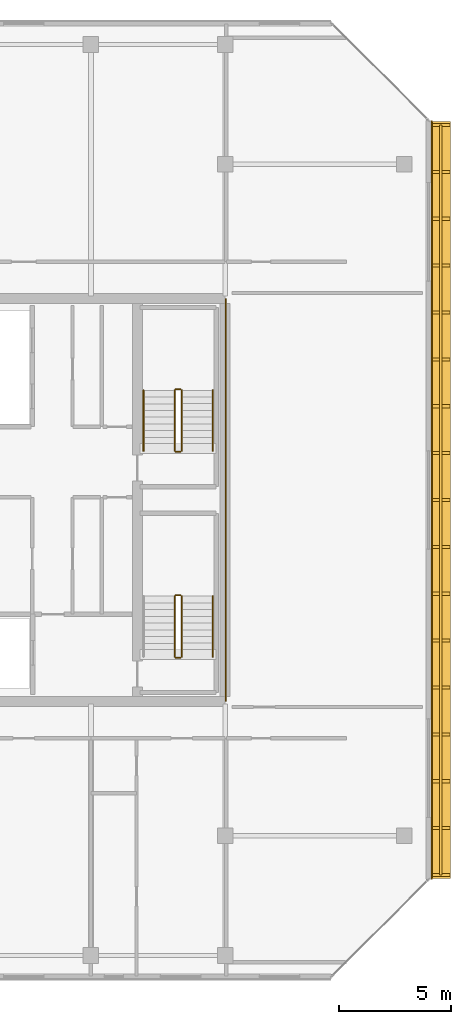
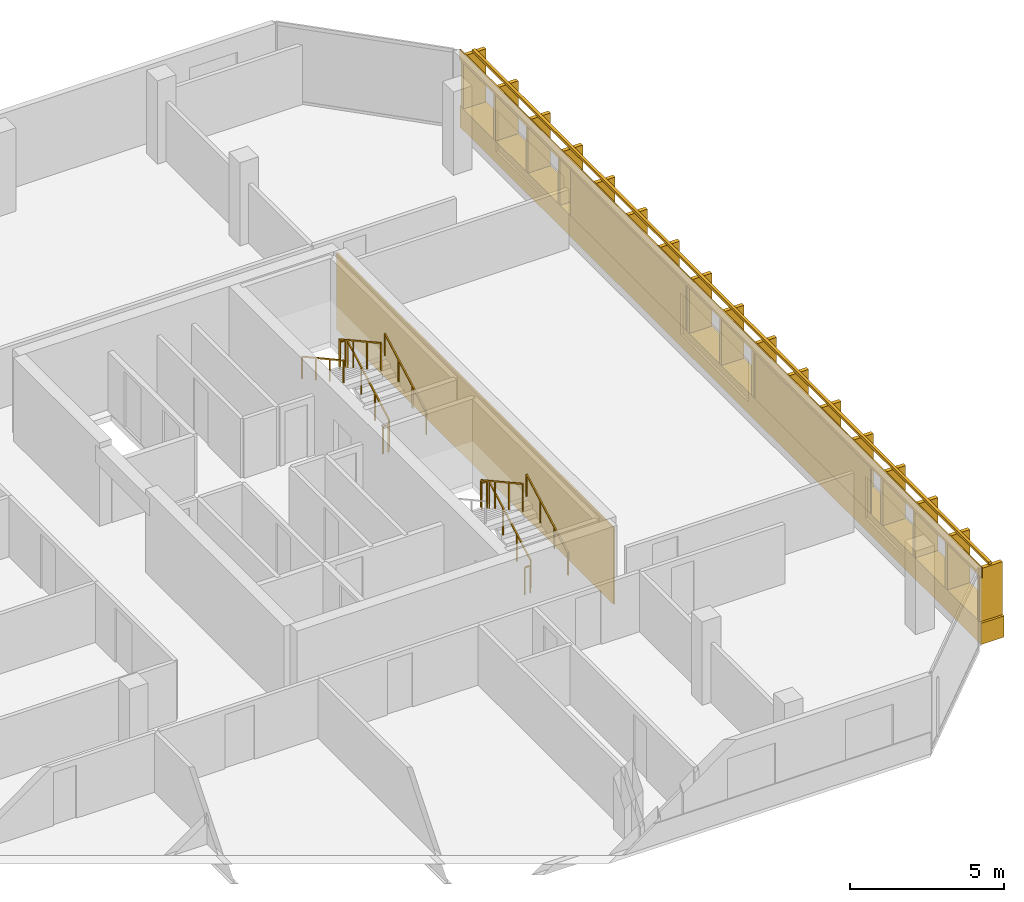
# One storey, part 29 of 29: 12 railings, 5 coverings.
"""IFC4 building model written with IfcOpenShell, lengths in metres."""

from ifc_helpers import new_model, si_unit, direction, frame, origin, origin_2d, place, context, subcontext, project, spatial, rectangle, extrude, material, layer, layer_set, type_object, element, save


model = new_model("IFC4")

# Units and contexts
model_context = context("Model", 3, precision=1e-05, world=origin(), true_north=direction((0.0, 1.0)))
body_context = subcontext(model_context, "Body", "Model", "MODEL_VIEW")
ifc_project = project(units=[si_unit("LENGTHUNIT", "METRE"), si_unit("AREAUNIT", "SQUARE_METRE"), si_unit("VOLUMEUNIT", "CUBIC_METRE"), si_unit("PLANEANGLEUNIT", "RADIAN"), si_unit("MASSUNIT", "GRAM", prefix="KILO")], contexts=[model_context])

# Site, building, storey
site_placement = place(None, origin())
site = spatial("IfcSite", under=ifc_project, at=site_placement, CompositionType="ELEMENT")
building_placement = place(site_placement, origin())
building = spatial("IfcBuilding", under=site, at=building_placement, Name="Tanjung Sevakor Pilgrim Tower", CompositionType="ELEMENT")
storey_placement = place(building_placement, frame((0.0, 0.0, 232.64990234375)))
storey = spatial("IfcBuildingStorey", under=building, at=storey_placement, Name="L65", CompositionType="ELEMENT", Elevation=232.64990234375)

# Coverings
ifc_material_1 = material(Name="Reconstructed Limestone Cladding", Category="masonry")
ifc_layer = layer(ifc_material_1, 0.044921875)
ifc_layer_set = layer_set([ifc_layer], Name="COV-CLAD-LIMESTONE")
covering_type = type_object("IfcCoveringType", Name="COV-CLAD-LIMESTONE", PredefinedType="CLADDING", material=ifc_layer_set)
covering_1_placement = place(storey_placement, frame((99.6298828125, 33.60009765625, 0.01025390625), z_axis=(0.0, 0.0, 1.0), x_axis=(0.0, 1.0, 0.0)))
element("IfcCovering", 1, at=covering_1_placement, inside=storey, type_object=covering_type, Name="L65 Warm Limestone Sill Spandrel EW-L65-EAST-3-1", PredefinedType="CLADDING", context=body_context, shape_type="SweptSolid", body=[
    extrude(rectangle(XDim=33.828857421875, YDim=0.860107421875, at=origin_2d()), origin(), (0.0, 0.0, 1.0), 0.840087890625),
])
covering_2_placement = place(storey_placement, frame((99.222412109375, 33.60009765625, 2.66015625), z_axis=(0.0, 0.0, 1.0), x_axis=(0.0, 1.0, 0.0)))
element("IfcCovering", 2, at=covering_2_placement, inside=storey, type_object=covering_type, Name="L65 Warm Limestone Cornice Spandrel EW-L65-EAST-3", PredefinedType="CLADDING", context=body_context, shape_type="SweptSolid", body=[
    extrude(rectangle(XDim=33.868896484375, YDim=0.044921875, at=origin_2d()), origin(), (0.0, 0.0, 1.0), 0.409912109375),
])
for number, where, z_axis, x_axis, name in (
    (3, (99.222412109375, 27.60888671875, 0.85009765625), (0.0, 0.0, 1.0), (0.0, 1.0, 0.0), "L65 Warm Limestone Pier Panel EW-L65-EAST-3-1"),
    (4, (99.222412109375, 39.591064453125, 0.85009765625), (0.0, 0.0, 1.0), (0.0, 1.0, 0.0), "L65 Warm Limestone Pier Panel EW-L65-EAST-3-2"),
):
    element("IfcCovering", number, at=place(storey_placement, frame(where, z_axis=z_axis, x_axis=x_axis)), inside=storey, type_object=covering_type, Name=name, PredefinedType="CLADDING", context=body_context, shape_type="SweptSolid", body=[
        extrude(rectangle(XDim=7.482177734375, YDim=0.044921875, at=origin_2d()), origin(), (0.0, 0.0, 1.0), 1.81005859375),
    ])
covering_3_placement = place(storey_placement, frame((90.0224609375, 33.60009765625, 0.02001953125), z_axis=(0.0, 0.0, 1.0), x_axis=(1.0, 0.0, 0.0)))
element("IfcCovering", 5, at=covering_3_placement, inside=storey, type_object=covering_type, Name="L65 Expressed Core Warm Limestone Cladding E", PredefinedType="CLADDING", context=body_context, shape_type="SweptSolid", body=[
    extrude(rectangle(XDim=0.044921875, YDim=18.0, at=origin_2d()), origin(), (0.0, 0.0, 1.0), 3.0400390625),
])

# Railings
ifc_material_2 = material(Name="Anodised Bronze Aluminium 6063-T6", Category="aluminium")
railing_type_1 = type_object("IfcRailingType", Name="RL-FIN-SCREEN", PredefinedType="BALUSTRADE", material=ifc_material_2)
railing_1_placement = place(storey_placement, frame((99.625, 16.845703125, 0.840087890625)))
element("IfcRailing", 6, at=railing_1_placement, inside=storey, type_object=railing_type_1, Name="L65 Vertical Bronze-Gold Solar Fin Screen FNEND-EW-L65-EAST-3-1", PredefinedType="BALUSTRADE", context=body_context, shape_type="SweptSolid", body=[
    extrude(rectangle(XDim=0.105, YDim=0.105), frame((0.0, 0.0, 2.157470703125), z_axis=(0.0, 1.0, 0.0), x_axis=(-1.0, 0.0, 0.0)), (0.0, 0.0, 1.0), 33.5087890625),
    extrude(rectangle(XDim=0.85, YDim=0.14), origin(), (0.0, 0.0, 1.0), 2.10498046875),
    extrude(rectangle(XDim=0.85, YDim=0.14), frame((0.0, 2.09423828125, 0.0)), (0.0, 0.0, 1.0), 2.10498046875),
    extrude(rectangle(XDim=0.85, YDim=0.14), frame((0.0, 4.1884765625, 0.0)), (0.0, 0.0, 1.0), 2.10498046875),
    extrude(rectangle(XDim=0.85, YDim=0.14), frame((0.0, 6.282958984375, 0.0)), (0.0, 0.0, 1.0), 2.10498046875),
    extrude(rectangle(XDim=0.85, YDim=0.14), frame((0.0, 8.377197265625, 0.0)), (0.0, 0.0, 1.0), 2.10498046875),
    extrude(rectangle(XDim=0.85, YDim=0.14), frame((0.0, 10.471435546875, 0.0)), (0.0, 0.0, 1.0), 2.10498046875),
    extrude(rectangle(XDim=0.85, YDim=0.14), frame((0.0, 12.56591796875, 0.0)), (0.0, 0.0, 1.0), 2.10498046875),
    extrude(rectangle(XDim=0.85, YDim=0.14), frame((0.0, 14.66015625, 0.0)), (0.0, 0.0, 1.0), 2.10498046875),
    extrude(rectangle(XDim=0.85, YDim=0.14), frame((0.0, 16.75439453125, 0.0)), (0.0, 0.0, 1.0), 2.10498046875),
    extrude(rectangle(XDim=0.85, YDim=0.14), frame((0.0, 18.8486328125, 0.0)), (0.0, 0.0, 1.0), 2.10498046875),
    extrude(rectangle(XDim=0.85, YDim=0.14), frame((0.0, 20.94287109375, 0.0)), (0.0, 0.0, 1.0), 2.10498046875),
    extrude(rectangle(XDim=0.85, YDim=0.14), frame((0.0, 23.037353515625, 0.0)), (0.0, 0.0, 1.0), 2.10498046875),
    extrude(rectangle(XDim=0.85, YDim=0.14), frame((0.0, 25.131591796875, 0.0)), (0.0, 0.0, 1.0), 2.10498046875),
    extrude(rectangle(XDim=0.85, YDim=0.14), frame((0.0, 27.225830078125, 0.0)), (0.0, 0.0, 1.0), 2.10498046875),
    extrude(rectangle(XDim=0.85, YDim=0.14), frame((0.0, 29.3203125, 0.0)), (0.0, 0.0, 1.0), 2.10498046875),
    extrude(rectangle(XDim=0.85, YDim=0.14), frame((0.0, 31.41455078125, 0.0)), (0.0, 0.0, 1.0), 2.10498046875),
    extrude(rectangle(XDim=0.85, YDim=0.14), frame((0.0, 33.5087890625, 0.0)), (0.0, 0.0, 1.0), 2.10498046875),
])
ifc_material_3 = material(Name="Steel S355J2", Category="steel")
railing_type_2 = type_object("IfcRailingType", Name="RL-STAIR-GUARD", PredefinedType="GUARDRAIL", material=ifc_material_3)
railing_2_placement = place(storey_placement, frame((88.050048828125, 26.60009765625, 0.1650390625)))
element("IfcRailing", 7, at=railing_2_placement, inside=storey, type_object=railing_type_2, Name="L65 TS-E1 stair guard 1", PredefinedType="GUARDRAIL", context=body_context, shape_type="SweptSolid", body=[
    extrude(rectangle(XDim=0.0479, YDim=0.0479), frame((0.0, 0.0, 1.076171875), z_axis=(0.0, 0.876197507361, 0.481952205197), x_axis=(-1.0, 0.0, 0.0)), (0.0, 0.0, 1.0), 3.08154296875),
    extrude(rectangle(XDim=0.042, YDim=0.042), origin(), (0.0, 0.0, 1.0), 1.052001953125),
    extrude(rectangle(XDim=0.042, YDim=0.042), frame((0.0, 0.89990234375, 0.4951171875)), (0.0, 0.0, 1.0), 1.052001953125),
    extrude(rectangle(XDim=0.042, YDim=0.042), frame((0.0, 1.800048828125, 0.989990234375)), (0.0, 0.0, 1.0), 1.052001953125),
    extrude(rectangle(XDim=0.042, YDim=0.042), frame((0.0, 2.699951171875, 1.485107421875)), (0.0, 0.0, 1.0), 1.052001953125),
])
railing_3_placement = place(storey_placement, frame((88.0, 29.35009765625, 1.650146484375)))
element("IfcRailing", 8, at=railing_3_placement, inside=storey, type_object=railing_type_2, Name="L65 TS-E1 stair guard 2", PredefinedType="GUARDRAIL", context=body_context, shape_type="SweptSolid", body=[
    extrude(rectangle(XDim=0.0479, YDim=0.0479), frame((0.0, 0.0, 1.076171875), z_axis=(-1.0, 0.0, 0.0), x_axis=(0.0, -1.0, 0.0)), (0.0, 0.0, 1.0), 0.199951171875),
    extrude(rectangle(XDim=0.042, YDim=0.042), origin(), (0.0, 0.0, 1.0), 1.052001953125),
    extrude(rectangle(XDim=0.042, YDim=0.042), frame((-0.199951171875, 0.0, 0.0)), (0.0, 0.0, 1.0), 1.052001953125),
])
railing_4_placement = place(storey_placement, frame((87.75, 29.300048828125, 1.815185546875)))
element("IfcRailing", 9, at=railing_4_placement, inside=storey, type_object=railing_type_2, Name="L65 TS-E1 stair guard 3", PredefinedType="GUARDRAIL", context=body_context, shape_type="SweptSolid", body=[
    extrude(rectangle(XDim=0.0479, YDim=0.0479), frame((0.0, 0.0, 1.076171875), z_axis=(0.0, -0.876230963923, 0.481891375584), x_axis=(1.0, 0.0, 0.0)), (0.0, 0.0, 1.0), 3.081298828125),
    extrude(rectangle(XDim=0.042, YDim=0.042), origin(), (0.0, 0.0, 1.0), 1.052001953125),
    extrude(rectangle(XDim=0.042, YDim=0.042), frame((0.0, -0.89990234375, 0.494873046875)), (0.0, 0.0, 1.0), 1.052001953125),
    extrude(rectangle(XDim=0.042, YDim=0.042), frame((0.0, -1.800048828125, 0.989990234375)), (0.0, 0.0, 1.0), 1.052001953125),
    extrude(rectangle(XDim=0.042, YDim=0.042), frame((0.0, -2.699951171875, 1.48486328125)), (0.0, 0.0, 1.0), 1.052001953125),
])
railing_5_placement = place(storey_placement, frame((88.0, 26.550048828125, 0.0)))
element("IfcRailing", 10, at=railing_5_placement, inside=storey, type_object=railing_type_2, Name="L65 TS-E1 stair guard 4", PredefinedType="GUARDRAIL", context=body_context, shape_type="SweptSolid", body=[
    extrude(rectangle(XDim=0.0479, YDim=0.0479), frame((0.0, 0.0, 1.076171875), z_axis=(-1.0, 0.0, 0.0), x_axis=(0.0, -1.0, 0.0)), (0.0, 0.0, 1.0), 0.199951171875),
    extrude(rectangle(XDim=0.042, YDim=0.042), origin(), (0.0, 0.0, 1.0), 1.052001953125),
    extrude(rectangle(XDim=0.042, YDim=0.042), frame((-0.199951171875, 0.0, 0.0)), (0.0, 0.0, 1.0), 1.052001953125),
])
railing_6_placement = place(storey_placement, frame((88.050048828125, 35.800048828125, 0.1650390625)))
element("IfcRailing", 11, at=railing_6_placement, inside=storey, type_object=railing_type_2, Name="L65 TS-E2 stair guard 1", PredefinedType="GUARDRAIL", context=body_context, shape_type="SweptSolid", body=[
    extrude(rectangle(XDim=0.0479, YDim=0.0479), frame((0.0, 0.0, 1.076171875), z_axis=(0.0, 0.876197507361, 0.481952205197), x_axis=(-1.0, 0.0, 0.0)), (0.0, 0.0, 1.0), 3.08154296875),
    extrude(rectangle(XDim=0.042, YDim=0.042), origin(), (0.0, 0.0, 1.0), 1.052001953125),
    extrude(rectangle(XDim=0.042, YDim=0.042), frame((0.0, 0.89990234375, 0.4951171875)), (0.0, 0.0, 1.0), 1.052001953125),
    extrude(rectangle(XDim=0.042, YDim=0.042), frame((0.0, 1.800048828125, 0.989990234375)), (0.0, 0.0, 1.0), 1.052001953125),
    extrude(rectangle(XDim=0.042, YDim=0.042), frame((0.0, 2.699951171875, 1.485107421875)), (0.0, 0.0, 1.0), 1.052001953125),
])
railing_7_placement = place(storey_placement, frame((88.0, 38.550048828125, 1.650146484375)))
element("IfcRailing", 12, at=railing_7_placement, inside=storey, type_object=railing_type_2, Name="L65 TS-E2 stair guard 2", PredefinedType="GUARDRAIL", context=body_context, shape_type="SweptSolid", body=[
    extrude(rectangle(XDim=0.0479, YDim=0.0479), frame((0.0, 0.0, 1.076171875), z_axis=(-1.0, 0.0, 0.0), x_axis=(0.0, -1.0, 0.0)), (0.0, 0.0, 1.0), 0.199951171875),
    extrude(rectangle(XDim=0.042, YDim=0.042), origin(), (0.0, 0.0, 1.0), 1.052001953125),
    extrude(rectangle(XDim=0.042, YDim=0.042), frame((-0.199951171875, 0.0, 0.0)), (0.0, 0.0, 1.0), 1.052001953125),
])
railing_8_placement = place(storey_placement, frame((87.75, 38.5, 1.815185546875)))
element("IfcRailing", 13, at=railing_8_placement, inside=storey, type_object=railing_type_2, Name="L65 TS-E2 stair guard 3", PredefinedType="GUARDRAIL", context=body_context, shape_type="SweptSolid", body=[
    extrude(rectangle(XDim=0.0479, YDim=0.0479), frame((0.0, 0.0, 1.076171875), z_axis=(0.0, -0.876230963923, 0.481891375584), x_axis=(1.0, 0.0, 0.0)), (0.0, 0.0, 1.0), 3.081298828125),
    extrude(rectangle(XDim=0.042, YDim=0.042), origin(), (0.0, 0.0, 1.0), 1.052001953125),
    extrude(rectangle(XDim=0.042, YDim=0.042), frame((0.0, -0.89990234375, 0.494873046875)), (0.0, 0.0, 1.0), 1.052001953125),
    extrude(rectangle(XDim=0.042, YDim=0.042), frame((0.0, -1.800048828125, 0.989990234375)), (0.0, 0.0, 1.0), 1.052001953125),
    extrude(rectangle(XDim=0.042, YDim=0.042), frame((0.0, -2.699951171875, 1.48486328125)), (0.0, 0.0, 1.0), 1.052001953125),
])
railing_9_placement = place(storey_placement, frame((88.0, 35.75, 0.0)))
element("IfcRailing", 14, at=railing_9_placement, inside=storey, type_object=railing_type_2, Name="L65 TS-E2 stair guard 4", PredefinedType="GUARDRAIL", context=body_context, shape_type="SweptSolid", body=[
    extrude(rectangle(XDim=0.0479, YDim=0.0479), frame((0.0, 0.0, 1.076171875), z_axis=(-1.0, 0.0, 0.0), x_axis=(0.0, -1.0, 0.0)), (0.0, 0.0, 1.0), 0.199951171875),
    extrude(rectangle(XDim=0.042, YDim=0.042), origin(), (0.0, 0.0, 1.0), 1.052001953125),
    extrude(rectangle(XDim=0.042, YDim=0.042), frame((-0.199951171875, 0.0, 0.0)), (0.0, 0.0, 1.0), 1.052001953125),
])
ifc_material_4 = material(Name="Steel S355J2", Category="steel")
railing_type_3 = type_object("IfcRailingType", Name="RL-STAIR-HAND", PredefinedType="HANDRAIL", material=ifc_material_4)
for number, where, name in (
    (15, (89.449951171875, 26.60009765625, 0.1650390625), "L65 TS-E1 stair handrail 1"),
    (16, (89.449951171875, 35.800048828125, 0.1650390625), "L65 TS-E2 stair handrail 1"),
):
    element("IfcRailing", number, at=place(storey_placement, frame(where)), inside=storey, type_object=railing_type_3, Name=name, PredefinedType="HANDRAIL", context=body_context, shape_type="SweptSolid", body=[
        extrude(rectangle(XDim=0.0479, YDim=0.0479), frame((0.0, 0.0, 0.8759765625), z_axis=(0.0, 0.876197507361, 0.481952205197), x_axis=(-1.0, 0.0, 0.0)), (0.0, 0.0, 1.0), 3.08154296875),
        extrude(rectangle(XDim=0.042, YDim=0.042), origin(), (0.0, 0.0, 1.0), 0.851806640625),
        extrude(rectangle(XDim=0.042, YDim=0.042), frame((0.0, 0.89990234375, 0.4951171875)), (0.0, 0.0, 1.0), 0.851806640625),
        extrude(rectangle(XDim=0.042, YDim=0.042), frame((0.0, 1.800048828125, 0.989990234375)), (0.0, 0.0, 1.0), 0.851806640625),
        extrude(rectangle(XDim=0.042, YDim=0.042), frame((0.0, 2.699951171875, 1.485107421875)), (0.0, 0.0, 1.0), 0.851806640625),
    ])
railing_10_placement = place(storey_placement, frame((86.35009765625, 38.5, 1.815185546875)))
element("IfcRailing", 17, at=railing_10_placement, inside=storey, type_object=railing_type_3, Name="L65 TS-E2 stair handrail 2", PredefinedType="HANDRAIL", context=body_context, shape_type="SweptSolid", body=[
    extrude(rectangle(XDim=0.0479, YDim=0.0479), frame((0.0, 0.0, 0.8759765625), z_axis=(0.0, -0.876230963923, 0.481891375584), x_axis=(1.0, 0.0, 0.0)), (0.0, 0.0, 1.0), 3.081298828125),
    extrude(rectangle(XDim=0.042, YDim=0.042), origin(), (0.0, 0.0, 1.0), 0.851806640625),
    extrude(rectangle(XDim=0.042, YDim=0.042), frame((0.0, -0.89990234375, 0.494873046875)), (0.0, 0.0, 1.0), 0.851806640625),
    extrude(rectangle(XDim=0.042, YDim=0.042), frame((0.0, -1.800048828125, 0.989990234375)), (0.0, 0.0, 1.0), 0.851806640625),
    extrude(rectangle(XDim=0.042, YDim=0.042), frame((0.0, -2.699951171875, 1.48486328125)), (0.0, 0.0, 1.0), 0.851806640625),
])

save(model, "model.ifc")
